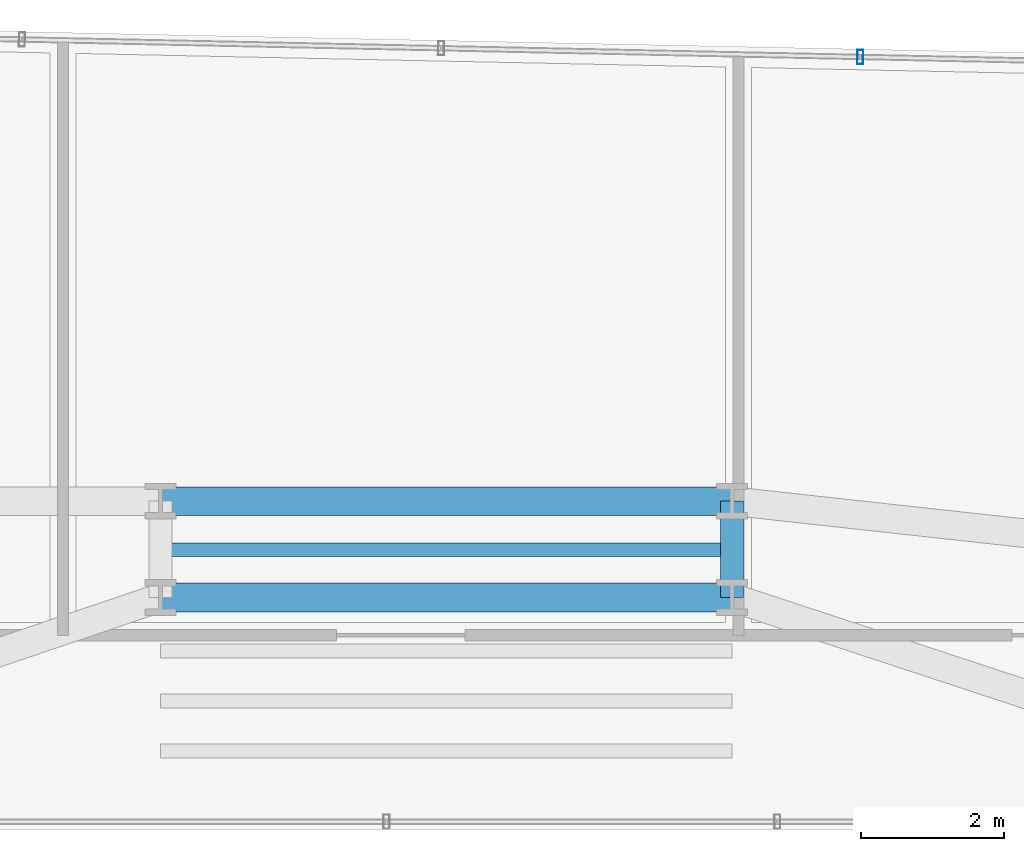
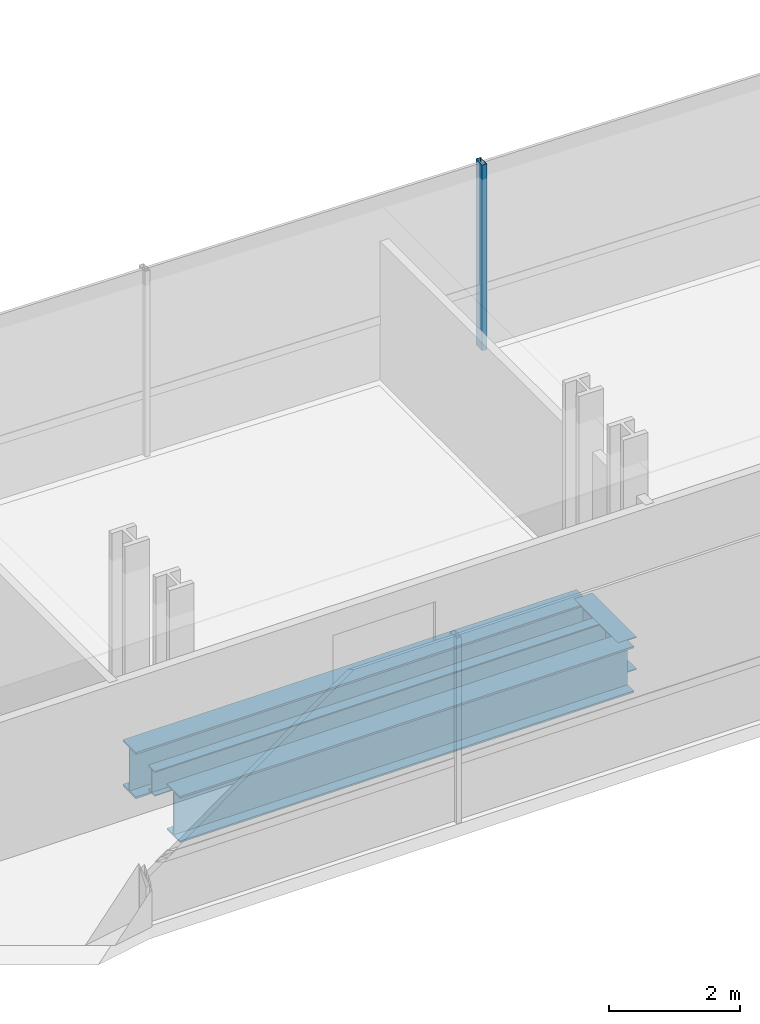
# One storey, part 22 of 40: 4 beams, 1 member, 1 element without a shape of its own.
"""IFC4 building model written with IfcOpenShell, lengths in metres."""

from ifc_helpers import new_model, si_unit, direction, frame, origin, origin_2d, place, context, subcontext, project, spatial, hollow_rectangle, i_section, extrude, source, transform, mapped, material, material_profile, profile_set, type_object, element, aggregate, save


model = new_model("IFC4")

# Units and contexts
model_context = context("Model", 3, precision=1e-05, world=origin(), true_north=direction((0.0, 1.0)))
body_context = subcontext(model_context, "Body", "Model", "MODEL_VIEW")
ifc_project = project(units=[si_unit("LENGTHUNIT", "METRE"), si_unit("AREAUNIT", "SQUARE_METRE"), si_unit("VOLUMEUNIT", "CUBIC_METRE"), si_unit("PLANEANGLEUNIT", "RADIAN"), si_unit("MASSUNIT", "GRAM", prefix="KILO")], contexts=[model_context])

# Site, building, storey
site_placement = place(None, origin())
site = spatial("IfcSite", under=ifc_project, at=site_placement, CompositionType="ELEMENT")
building_placement = place(site_placement, origin())
building = spatial("IfcBuilding", under=site, at=building_placement, Name="Valdorenza Pilgrim Sanctuary Tower", CompositionType="ELEMENT")
storey_placement = place(building_placement, frame((0.0, 0.0, 81.5)))
storey = spatial("IfcBuildingStorey", under=building, at=storey_placement, Name="L20", CompositionType="ELEMENT", Elevation=81.5)

# Beams
ifc_material_1 = material(Name="Steel ASTM A992 Grade 50", Category="steel")
ifc_material_profile_1 = material_profile(ifc_material_1, i_section(OverallWidth=0.39990234375, OverallDepth=0.862060546875, WebThickness=0.019775390625, FlangeThickness=0.032470703125, at=origin_2d()), Name="W33X221")
ifc_profile_set_1 = profile_set([ifc_material_profile_1], Name="Steel ASTM A992 Grade 50")
beam_type_1 = type_object("IfcBeamType", Name="STR-BM-GRD-W33", PredefinedType="BEAM", material=ifc_profile_set_1)
shared_shape_1 = source(origin(), body_context, "Body", "SweptSolid", [
    extrude(i_section(OverallWidth=0.39990234375, OverallDepth=0.862060546875, WebThickness=0.019775390625, FlangeThickness=0.032470703125, at=origin_2d()), origin(), (0.0, 0.0, 1.0), 8.0),
])
for number, where, z_axis, x_axis, name in (
    (1, (-4.0, 13.449951171875, -0.6708984375), (1.0, 0.0, 0.0), (0.0, 1.0, 0.0), "L20 Floor Girder KNK-G2"),
    (2, (-4.0, 14.800048828125, -0.6708984375), (1.0, 0.0, 0.0), (0.0, 1.0, 0.0), "L20 Floor Girder KNK-G5"),
):
    element("IfcBeam", number, at=place(storey_placement, frame(where, z_axis=z_axis, x_axis=x_axis)), inside=storey, type_object=beam_type_1, Name=name, PredefinedType="BEAM", context=body_context, shape_type="MappedRepresentation", body=[
        mapped(shared_shape_1, transform((0.0, 0.0, 0.0), x_axis=(1.0, 0.0, 0.0), y_axis=(0.0, 1.0, 0.0), z_axis=(0.0, 0.0, 1.0), scale=1.0)),
    ])
ifc_material_profile_2 = material_profile(ifc_material_1, i_section(OverallWidth=0.323974609375, OverallDepth=0.611083984375, WebThickness=0.0126953125, FlangeThickness=0.01904296875, at=origin_2d()), Name="W24X104")
ifc_profile_set_2 = profile_set([ifc_material_profile_2], Name="Steel ASTM A992 Grade 50")
beam_type_2 = type_object("IfcBeamType", Name="STR-BM-GRD-W24B", PredefinedType="BEAM", material=ifc_profile_set_2)
shared_shape_2 = source(origin(), body_context, "Body", "SweptSolid", [
    extrude(i_section(OverallWidth=0.323974609375, OverallDepth=0.611083984375, WebThickness=0.0126953125, FlangeThickness=0.01904296875, at=origin_2d()), origin(), (0.0, 0.0, 1.0), 1.35009765625),
])
beam_1_placement = place(storey_placement, frame((4.0, 13.449951171875, -0.54541015625), z_axis=(0.0, 1.0, 0.0), x_axis=(-1.0, 0.0, 0.0)))
element("IfcBeam", 3, at=beam_1_placement, inside=storey, type_object=beam_type_2, Name="L20 Floor Girder KNK-TIE-E", PredefinedType="BEAM", context=body_context, shape_type="MappedRepresentation", body=[
    mapped(shared_shape_2, transform((0.0, 0.0, 0.0), x_axis=(1.0, 0.0, 0.0), y_axis=(0.0, 1.0, 0.0), z_axis=(0.0, 0.0, 1.0), scale=1.0)),
])
ifc_material_profile_3 = material_profile(ifc_material_1, i_section(OverallWidth=0.193115234375, OverallDepth=0.466064453125, WebThickness=0.011474609375, FlangeThickness=0.01904296875, at=origin_2d()), Name="W18X65")
ifc_profile_set_3 = profile_set([ifc_material_profile_3], Name="Steel ASTM A992 Grade 50")
beam_type_3 = type_object("IfcBeamType", Name="STR-BM-JST-W18A", PredefinedType="JOIST", material=ifc_profile_set_3)
shared_shape_3 = source(origin(), body_context, "Body", "SweptSolid", [
    extrude(i_section(OverallWidth=0.193115234375, OverallDepth=0.466064453125, WebThickness=0.011474609375, FlangeThickness=0.01904296875, at=origin_2d()), origin(), (0.0, 0.0, 1.0), 8.0),
])
beam_2_placement = place(storey_placement, frame((-4.0, 14.1201171875, -0.472900390625), z_axis=(1.0, 0.0, 0.0), x_axis=(0.0, 1.0, 0.0)))
element("IfcBeam", 4, at=beam_2_placement, inside=storey, type_object=beam_type_3, Name="L20 Knuckle Composite Joist JST-KNK-4", PredefinedType="JOIST", context=body_context, shape_type="MappedRepresentation", body=[
    mapped(shared_shape_3, transform((0.0, 0.0, 0.0), x_axis=(1.0, 0.0, 0.0), y_axis=(0.0, 1.0, 0.0), z_axis=(0.0, 0.0, 1.0), scale=1.0)),
])

# Curtain wall, member
ifc_material_2 = material(Name="Curtain-wall IGU glazing", Category="glass")
curtain_wall_type = type_object("IfcCurtainWallType", Name="CW-SYS-02", PredefinedType="NOTDEFINED", material=ifc_material_2)
curtain_wall_placement = place(storey_placement, origin())
curtain_wall = element("IfcCurtainWall", 5, at=curtain_wall_placement, inside=storey, type_object=curtain_wall_type, Name="L20 Curtain Wall CW-L20-1-11", PredefinedType="NOTDEFINED")
ifc_material_3 = material(Name="Anodised aluminium AW-6060", Category="aluminium")
ifc_material_profile_4 = material_profile(ifc_material_3, hollow_rectangle(XDim=0.0849609375, YDim=0.199951171875, WallThickness=0.0048828125, at=origin_2d()), Name="ALU-M 200x85x5")
ifc_profile_set_4 = profile_set([ifc_material_profile_4], Name="Anodised aluminium AW-6060")
member_type = type_object("IfcMemberType", Name="CW-MUL-02", PredefinedType="MULLION", material=ifc_profile_set_4)
shared_shape_4 = source(origin(), body_context, "Body", "SweptSolid", [
    extrude(hollow_rectangle(XDim=0.0849609375, YDim=0.199951171875, WallThickness=0.0048828125, at=origin_2d()), origin(), (0.0, 0.0, 1.0), 3.4599609375),
])
member_placement = place(storey_placement, frame((5.797119140625, 21.019287109375, 0.0), z_axis=(0.0, 0.0, 1.0), x_axis=(0.999783234613, -0.020820273474, 0.0)))
member = element("IfcMember", 6, at=member_placement, type_object=member_type, Name="CW-L20-1-11 Mullion 4", PredefinedType="MULLION", context=body_context, shape_type="MappedRepresentation", body=[
    mapped(shared_shape_4, transform((0.0, 0.0, 0.0), x_axis=(1.0, 0.0, 0.0), y_axis=(0.0, 1.0, 0.0), z_axis=(0.0, 0.0, 1.0), scale=1.0)),
])
aggregate(curtain_wall, [member])

save(model, "model.ifc")
